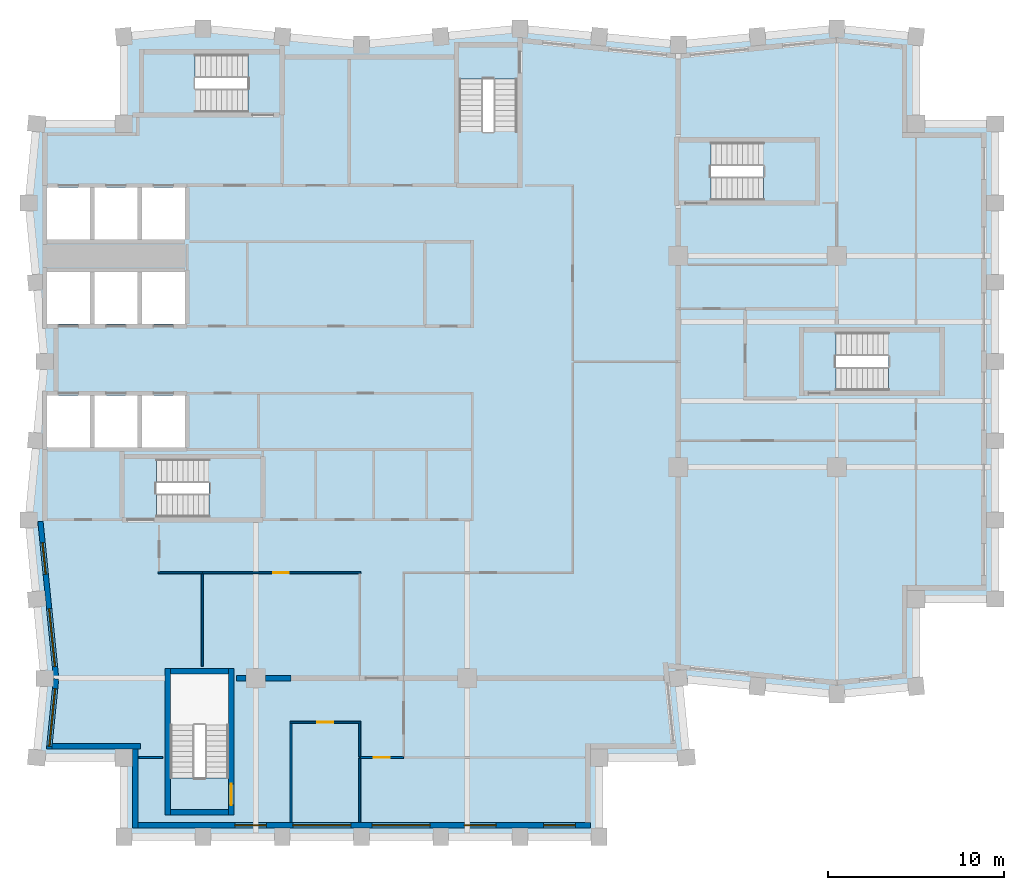
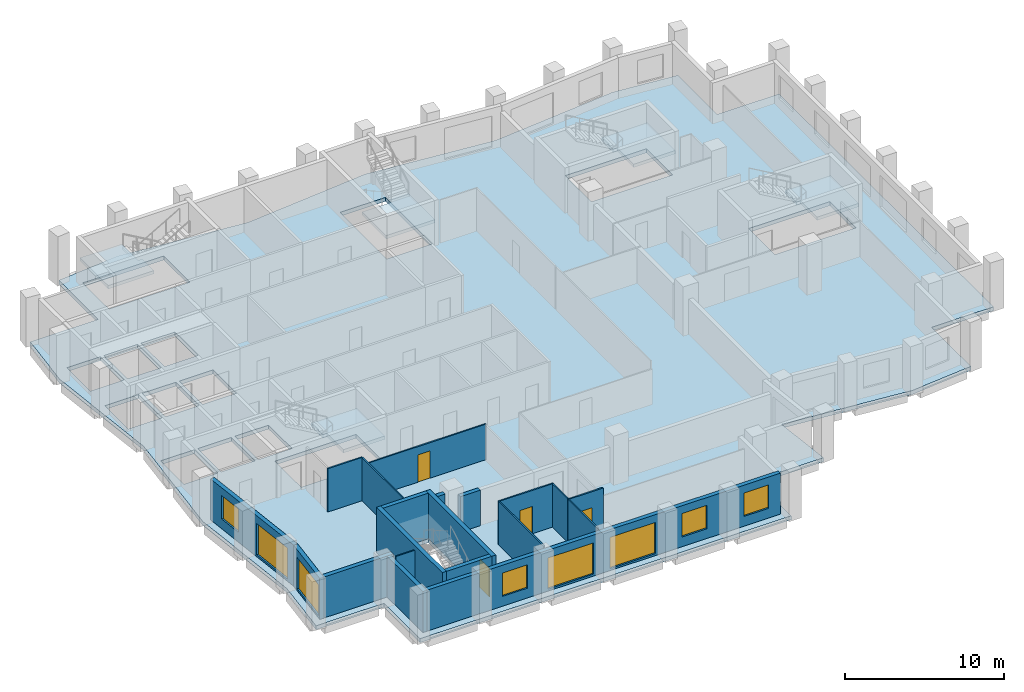
# One storey, part 2 of 8: 20 walls, 8 windows, 6 slabs, 4 doors, 12 openings, 5 elements without a shape of their own.
"""IFC4 building model written with IfcOpenShell, lengths in metres."""

from ifc_helpers import new_model, si_unit, direction, frame, frame_2d, origin, place, context, subcontext, project, spatial, polyline, rectangle, outline, extrude, material, layer, layer_set, type_object, element, fill, aggregate, save


model = new_model("IFC4")

# Units and contexts
model_context = context("Model", 3, precision=1e-05, world=origin(), true_north=direction((0.0, 1.0)))
body_context = subcontext(model_context, "Body", "Model", "MODEL_VIEW")
ifc_project = project(units=[si_unit("LENGTHUNIT", "METRE"), si_unit("AREAUNIT", "SQUARE_METRE"), si_unit("VOLUMEUNIT", "CUBIC_METRE"), si_unit("PLANEANGLEUNIT", "RADIAN"), si_unit("MASSUNIT", "GRAM", prefix="KILO")], contexts=[model_context])

# Site, building, storey
site_placement = place(None, origin())
site = spatial("IfcSite", under=ifc_project, at=site_placement, CompositionType="ELEMENT")
building_placement = place(site_placement, origin())
building = spatial("IfcBuilding", under=site, at=building_placement, Name="Brondeck Convention Tower", CompositionType="ELEMENT")
storey_placement = place(building_placement, frame((0.0, 0.0, 240.60009765625)))
storey = spatial("IfcBuildingStorey", under=building, at=storey_placement, Name="L59", CompositionType="ELEMENT", Elevation=240.60009765625)

# Slab
ifc_material_1 = material(Name="Concrete C35/45", Category="concrete")
ifc_layer_1 = layer(ifc_material_1, 0.300048828125)
ifc_layer_set_1 = layer_set([ifc_layer_1], Name="Composite floor slab 300")
slab_type_1 = type_object("IfcSlabType", Name="Composite floor slab 300", PredefinedType="FLOOR", material=ifc_layer_set_1)
slab_1_placement = place(storey_placement, frame((0.0, 0.0, -0.300048828125)))
element("IfcSlab", 1, at=slab_1_placement, inside=storey, type_object=slab_type_1, Name="STR-SL-L59", PredefinedType="FLOOR", context=body_context, shape_type="SweptSolid", body=[
    extrude(outline(polyline([(4.5, 22.5), (-0.449951171875, 22.5), (0.0, 27.0), (-0.89990234375, 36.0), (0.0, 45.0), (-0.89990234375, 54.0), (-0.449951171875, 58.5), (4.5, 58.5), (4.5, 63.449951171875), (9.0, 63.89990234375), (18.0, 63.0), (27.0, 63.89990234375), (36.0, 63.0), (45.0, 63.89990234375), (49.5, 63.449951171875), (49.5, 58.5), (54.0, 58.5), (54.0, 31.5), (49.5, 31.5), (49.5, 26.550048828125), (45.0, 26.10009765625), (36.0, 27.0), (36.449951171875, 22.5), (31.5, 22.5), (31.5, 18.0), (4.5, 18.0), (4.5, 22.5)]), holes=[polyline([(2.574951171875, 43.074951171875), (0.125, 43.074951171875), (0.125, 40.125), (2.574951171875, 40.125), (2.574951171875, 43.074951171875)]), polyline([(5.27490234375, 40.125), (5.27490234375, 43.074951171875), (2.824951171875, 43.074951171875), (2.824951171875, 40.125), (5.27490234375, 40.125)]), polyline([(7.97509765625, 40.125), (7.97509765625, 43.074951171875), (5.52490234375, 43.074951171875), (5.52490234375, 40.125), (7.97509765625, 40.125)]), polyline([(2.574951171875, 47.125), (2.574951171875, 50.074951171875), (0.125, 50.074951171875), (0.125, 47.125), (2.574951171875, 47.125)]), polyline([(5.27490234375, 47.125), (5.27490234375, 50.074951171875), (2.824951171875, 50.074951171875), (2.824951171875, 47.125), (5.27490234375, 47.125)]), polyline([(7.97509765625, 47.125), (7.97509765625, 50.074951171875), (5.52490234375, 50.074951171875), (5.52490234375, 47.125), (7.97509765625, 47.125)]), polyline([(2.574951171875, 51.925048828125), (2.574951171875, 54.875), (0.125, 54.875), (0.125, 51.925048828125), (2.574951171875, 51.925048828125)]), polyline([(5.27490234375, 51.925048828125), (5.27490234375, 54.875), (2.824951171875, 54.875), (2.824951171875, 51.925048828125), (5.27490234375, 51.925048828125)]), polyline([(10.447998046875, 27.248046875), (7.152099609375, 27.248046875), (7.152099609375, 21.35205078125), (10.447998046875, 21.35205078125), (10.447998046875, 27.248046875)]), polyline([(12.248046875, 36.152099609375), (12.248046875, 39.447998046875), (6.35205078125, 39.447998046875), (6.35205078125, 36.152099609375), (12.248046875, 36.152099609375)]), polyline([(50.847900390625, 43.35205078125), (50.847900390625, 46.64794921875), (44.951904296875, 46.64794921875), (44.951904296875, 43.35205078125), (50.847900390625, 43.35205078125)]), polyline([(7.97509765625, 51.925048828125), (7.97509765625, 54.875), (5.52490234375, 54.875), (5.52490234375, 51.925048828125), (7.97509765625, 51.925048828125)]), polyline([(43.748046875, 54.152099609375), (43.748046875, 57.447998046875), (37.85205078125, 57.447998046875), (37.85205078125, 54.152099609375), (43.748046875, 54.152099609375)]), polyline([(23.552001953125, 55.152099609375), (26.847900390625, 55.152099609375), (26.847900390625, 61.048095703125), (23.552001953125, 61.048095703125), (23.552001953125, 55.152099609375)]), polyline([(5.652099609375, 62.447998046875), (5.652099609375, 59.152099609375), (11.548095703125, 59.152099609375), (11.548095703125, 62.447998046875), (5.652099609375, 62.447998046875)])]), origin(), (0.0, 0.0, 1.0), 0.300048828125),
])

# Stair, slab
ifc_material_2 = material(Name="Precast concrete C50/60", Category="concrete")
stair_type = type_object("IfcStairType", Name="Core stair 22 risers 172.73 mm riser 300 mm going 1350 wide", PredefinedType="HALF_TURN_STAIR", material=ifc_material_2)
stair_1_placement = place(storey_placement, origin())
stair_1 = element("IfcStair", 2, at=stair_1_placement, inside=storey, type_object=stair_type, Name="ST-1 L59 stair", PredefinedType="HALF_TURN_STAIR")
ifc_layer_2 = layer(ifc_material_2, 0.25)
ifc_layer_set_2 = layer_set([ifc_layer_2], Name="Core stair landing 250 Precast concrete C50/60")
slab_type_2 = type_object("IfcSlabType", Name="Core stair landing 250 Precast concrete C50/60", PredefinedType="LANDING", material=ifc_layer_set_2)
slab_2_placement = place(storey_placement, frame((0.0, 0.0, 1.64990234375)))
slab_2 = element("IfcSlab", 3, at=slab_2_placement, type_object=slab_type_2, Name="ST-1 landing 1", PredefinedType="LANDING", context=body_context, shape_type="SweptSolid", body=[
    extrude(outline(polyline([(9.347900390625, 37.5), (9.35009765625, 37.5), (9.35009765625, 38.10009765625), (9.050048828125, 38.10009765625), (9.050048828125, 39.570068359375), (12.3701171875, 39.570068359375), (12.3701171875, 36.030029296875), (9.347900390625, 36.030029296875), (9.347900390625, 37.5)])), origin(), (0.0, 0.0, 1.0), 0.25),
])
aggregate(stair_1, [slab_2])

stair_2_placement = place(storey_placement, origin())
stair_2 = element("IfcStair", 4, at=stair_2_placement, inside=storey, type_object=stair_type, Name="ST-2 L59 stair", PredefinedType="HALF_TURN_STAIR")
slab_3_placement = place(storey_placement, frame((0.0, 0.0, 1.64990234375)))
slab_3 = element("IfcSlab", 5, at=slab_3_placement, type_object=slab_type_2, Name="ST-2 landing 1", PredefinedType="LANDING", context=body_context, shape_type="SweptSolid", body=[
    extrude(outline(polyline([(23.429931640625, 58.052001953125), (24.89990234375, 58.052001953125), (24.89990234375, 58.050048828125), (25.5, 58.050048828125), (25.5, 58.35009765625), (26.969970703125, 58.35009765625), (26.969970703125, 55.030029296875), (23.429931640625, 55.030029296875), (23.429931640625, 58.052001953125)])), origin(), (0.0, 0.0, 1.0), 0.25),
])
aggregate(stair_2, [slab_3])

stair_3_placement = place(storey_placement, origin())
stair_3 = element("IfcStair", 6, at=stair_3_placement, inside=storey, type_object=stair_type, Name="ST-3 L59 stair", PredefinedType="HALF_TURN_STAIR")
slab_4_placement = place(storey_placement, frame((0.0, 0.0, 1.64990234375)))
slab_4 = element("IfcSlab", 7, at=slab_4_placement, type_object=slab_type_2, Name="ST-3 landing 1", PredefinedType="LANDING", context=body_context, shape_type="SweptSolid", body=[
    extrude(outline(polyline([(8.85009765625, 60.5), (8.85009765625, 59.030029296875), (5.530029296875, 59.030029296875), (5.530029296875, 62.570068359375), (8.552001953125, 62.570068359375), (8.552001953125, 61.10009765625), (8.550048828125, 61.10009765625), (8.550048828125, 60.5), (8.85009765625, 60.5)])), origin(), (0.0, 0.0, 1.0), 0.25),
])
aggregate(stair_3, [slab_4])

stair_4_placement = place(storey_placement, origin())
stair_4 = element("IfcStair", 8, at=stair_4_placement, inside=storey, type_object=stair_type, Name="ST-AE L59 stair", PredefinedType="HALF_TURN_STAIR")
slab_5_placement = place(storey_placement, frame((0.0, 0.0, 1.64990234375)))
slab_5 = element("IfcSlab", 9, at=slab_5_placement, type_object=slab_type_2, Name="ST-AE landing 1", PredefinedType="LANDING", context=body_context, shape_type="SweptSolid", body=[
    extrude(outline(polyline([(40.847900390625, 55.5), (40.85009765625, 55.5), (40.85009765625, 56.10009765625), (40.550048828125, 56.10009765625), (40.550048828125, 57.570068359375), (43.8701171875, 57.570068359375), (43.8701171875, 54.030029296875), (40.847900390625, 54.030029296875), (40.847900390625, 55.5)])), origin(), (0.0, 0.0, 1.0), 0.25),
])
aggregate(stair_4, [slab_5])

stair_5_placement = place(storey_placement, origin())
stair_5 = element("IfcStair", 10, at=stair_5_placement, inside=storey, type_object=stair_type, Name="ST-AF L59 stair", PredefinedType="HALF_TURN_STAIR")
slab_6_placement = place(storey_placement, frame((0.0, 0.0, 1.64990234375)))
slab_6 = element("IfcSlab", 11, at=slab_6_placement, type_object=slab_type_2, Name="ST-AF landing 1", PredefinedType="LANDING", context=body_context, shape_type="SweptSolid", body=[
    extrude(outline(polyline([(47.947998046875, 44.699951171875), (47.949951171875, 44.699951171875), (47.949951171875, 45.300048828125), (47.64990234375, 45.300048828125), (47.64990234375, 46.77001953125), (50.969970703125, 46.77001953125), (50.969970703125, 43.22998046875), (47.947998046875, 43.22998046875), (47.947998046875, 44.699951171875)])), origin(), (0.0, 0.0, 1.0), 0.25),
])
aggregate(stair_5, [slab_6])

# Walls
ifc_material_3 = material(Name="Concrete compartment wall C30/37", Category="concrete")
ifc_layer_3 = layer(ifc_material_3, 0.300048828125)
ifc_layer_set_3 = layer_set([ifc_layer_3], Name="Compartment wall 300")
wall_type_1 = type_object("IfcWallType", Name="Compartment wall 300", PredefinedType="PARTITIONING", material=ifc_layer_set_3)
wall_1_placement = place(storey_placement, frame((10.89990234375, 27.0, 0.0), z_axis=(0.0, 0.0, 1.0), x_axis=(1.0, 0.0, 0.0)))
element("IfcWall", 12, at=wall_1_placement, inside=storey, type_object=wall_type_1, Name="FLR-L59-W013", PredefinedType="PARTITIONING", context=body_context, shape_type="SweptSolid", body=[
    extrude(rectangle(XDim=0.545166015625, YDim=0.300048828125, at=frame_2d((0.2724609375, 0.0))), origin(), (0.0, 0.0, 1.0), 3.329833984375),
])
wall_2_placement = place(storey_placement, frame((12.554931640625, 27.0, 0.0), z_axis=(0.0, 0.0, 1.0), x_axis=(1.0, 0.0, 0.0)))
element("IfcWall", 13, at=wall_2_placement, inside=storey, type_object=wall_type_1, Name="FLR-L59-W014", PredefinedType="PARTITIONING", context=body_context, shape_type="SweptSolid", body=[
    extrude(rectangle(XDim=1.445068359375, YDim=0.300048828125, at=frame_2d((0.72265625, 0.0))), origin(), (0.0, 0.0, 1.0), 2.72998046875),
])

# Wall, openings, windows
ifc_material_4 = material(Name="Precast concrete C50/60 bronze finish", Category="concrete")
ifc_layer_4 = layer(ifc_material_4, 0.070068359375, Name="Bronze precast facing")
ifc_material_5 = material(Name="Mineral wool")
ifc_layer_5 = layer(ifc_material_5, 0.159912109375, Name="Insulation")
ifc_layer_6 = layer(ifc_material_1, 0.070068359375, Name="Backing")
ifc_layer_set_4 = layer_set([ifc_layer_4, ifc_layer_5, ifc_layer_6], Name="External infill wall, precast concrete C50/60 bronze facing")
wall_type_2 = type_object("IfcWallType", Name="External infill wall, precast concrete C50/60 bronze facing", PredefinedType="SOLIDWALL", material=ifc_layer_set_4)
wall_3_placement = place(storey_placement, frame((31.0, 18.64990234375, 0.0), z_axis=(0.0, 0.0, 1.0), x_axis=(-1.0, 0.0, 0.0)))
wall_3 = element("IfcWall", 14, at=wall_3_placement, inside=storey, type_object=wall_type_2, Name="ENV-EW-L59-P2-B-S18-01", PredefinedType="SOLIDWALL", context=body_context, shape_type="SweptSolid", body=[
    extrude(rectangle(XDim=25.699951171875, YDim=0.300048828125, at=frame_2d((12.85009765625, 0.0))), origin(), (0.0, 0.0, 1.0), 3.14990234375),
])
opening_1_placement = place(wall_3_placement, frame((0.85009765625, 0.0, 0.75)))
opening_1 = element("IfcOpeningElement", 15, at=opening_1_placement, cuts=wall_3, Name="Opening W10", PredefinedType="OPENING", context=body_context, shape_type="SweptSolid", body=[
    extrude(rectangle(XDim=1.800048828125, YDim=1.800048828125, at=frame_2d((0.89990234375, 0.89990234375))), frame((0.0, 0.159912109375, 0.0), z_axis=(0.0, -1.0, 0.0), x_axis=(1.0, 0.0, 0.0)), (0.0, 0.0, 1.0), 0.320068359375),
])
opening_2_placement = place(wall_3_placement, frame((5.35009765625, 0.0, 0.75)))
opening_2 = element("IfcOpeningElement", 16, at=opening_2_placement, cuts=wall_3, Name="Opening W10", PredefinedType="OPENING", context=body_context, shape_type="SweptSolid", body=[
    extrude(rectangle(XDim=1.800048828125, YDim=1.800048828125, at=frame_2d((0.89990234375, 0.89990234375))), frame((0.0, 0.159912109375, 0.0), z_axis=(0.0, -1.0, 0.0), x_axis=(1.0, 0.0, 0.0)), (0.0, 0.0, 1.0), 0.320068359375),
])
opening_3_placement = place(wall_3_placement, frame((9.10009765625, 0.0, 0.14990234375)))
opening_3 = element("IfcOpeningElement", 17, at=opening_3_placement, cuts=wall_3, Name="Opening W9", PredefinedType="OPENING", context=body_context, shape_type="SweptSolid", body=[
    extrude(rectangle(XDim=3.300048828125, YDim=2.39990234375, at=frame_2d((1.64990234375, 1.199951171875))), frame((0.0, 0.159912109375, 0.0), z_axis=(0.0, -1.0, 0.0), x_axis=(1.0, 0.0, 0.0)), (0.0, 0.0, 1.0), 0.320068359375),
])
opening_4_placement = place(wall_3_placement, frame((13.60009765625, 0.0, 0.14990234375)))
opening_4 = element("IfcOpeningElement", 18, at=opening_4_placement, cuts=wall_3, Name="Opening W9", PredefinedType="OPENING", context=body_context, shape_type="SweptSolid", body=[
    extrude(rectangle(XDim=3.300048828125, YDim=2.39990234375, at=frame_2d((1.64990234375, 1.199951171875))), frame((0.0, 0.159912109375, 0.0), z_axis=(0.0, -1.0, 0.0), x_axis=(1.0, 0.0, 0.0)), (0.0, 0.0, 1.0), 0.320068359375),
])
opening_5_placement = place(wall_3_placement, frame((18.39990234375, 0.0, 0.75)))
opening_5 = element("IfcOpeningElement", 19, at=opening_5_placement, cuts=wall_3, Name="Opening W10", PredefinedType="OPENING", context=body_context, shape_type="SweptSolid", body=[
    extrude(rectangle(XDim=1.800048828125, YDim=1.800048828125, at=frame_2d((0.89990234375, 0.89990234375))), frame((0.0, 0.159912109375, 0.0), z_axis=(0.0, -1.0, 0.0), x_axis=(1.0, 0.0, 0.0)), (0.0, 0.0, 1.0), 0.320068359375),
])
ifc_material_6 = material(Name="Bronze tinted double glazing", Category="glass")
window_type_1 = type_object("IfcWindowType", Name="Glazed flute window, bronze tinted", PartitioningType="SINGLE_PANEL", PredefinedType="WINDOW", material=ifc_material_6)
window_1_placement = place(opening_3_placement, origin())
window_1 = element("IfcWindow", 20, at=window_1_placement, inside=storey, type_object=window_type_1, Name="ENV-WN-L59-P2-B-S18-04", OverallHeight=2.39990234375, OverallWidth=3.300048828125, PartitioningType="SINGLE_PANEL", PredefinedType="WINDOW", context=body_context, shape_type="SweptSolid", body=[
    extrude(rectangle(XDim=3.300048828125, YDim=2.39990234375, at=frame_2d((1.64990234375, 1.199951171875))), frame((0.0, 0.030029296875, 0.0), z_axis=(0.0, -1.0, 0.0), x_axis=(1.0, 0.0, 0.0)), (0.0, 0.0, 1.0), 0.06005859375),
])
fill(opening_3, window_1)
window_2_placement = place(opening_4_placement, origin())
window_2 = element("IfcWindow", 21, at=window_2_placement, inside=storey, type_object=window_type_1, Name="ENV-WN-L59-P2-B-S18-03", OverallHeight=2.39990234375, OverallWidth=3.300048828125, PartitioningType="SINGLE_PANEL", PredefinedType="WINDOW", context=body_context, shape_type="SweptSolid", body=[
    extrude(rectangle(XDim=3.300048828125, YDim=2.39990234375, at=frame_2d((1.64990234375, 1.199951171875))), frame((0.0, 0.030029296875, 0.0), z_axis=(0.0, -1.0, 0.0), x_axis=(1.0, 0.0, 0.0)), (0.0, 0.0, 1.0), 0.06005859375),
])
fill(opening_4, window_2)
window_type_2 = type_object("IfcWindowType", Name="Punched window, bronze tinted", PartitioningType="SINGLE_PANEL", PredefinedType="WINDOW", material=ifc_material_6)
window_3_placement = place(opening_1_placement, origin())
window_3 = element("IfcWindow", 22, at=window_3_placement, inside=storey, type_object=window_type_2, Name="ENV-WN-L59-P2-B-S18-06", OverallHeight=1.800048828125, OverallWidth=1.800048828125, PartitioningType="SINGLE_PANEL", PredefinedType="WINDOW", context=body_context, shape_type="SweptSolid", body=[
    extrude(rectangle(XDim=1.800048828125, YDim=1.800048828125, at=frame_2d((0.89990234375, 0.89990234375))), frame((0.0, 0.030029296875, 0.0), z_axis=(0.0, -1.0, 0.0), x_axis=(1.0, 0.0, 0.0)), (0.0, 0.0, 1.0), 0.06005859375),
])
fill(opening_1, window_3)
window_4_placement = place(opening_2_placement, origin())
window_4 = element("IfcWindow", 23, at=window_4_placement, inside=storey, type_object=window_type_2, Name="ENV-WN-L59-P2-B-S18-05", OverallHeight=1.800048828125, OverallWidth=1.800048828125, PartitioningType="SINGLE_PANEL", PredefinedType="WINDOW", context=body_context, shape_type="SweptSolid", body=[
    extrude(rectangle(XDim=1.800048828125, YDim=1.800048828125, at=frame_2d((0.89990234375, 0.89990234375))), frame((0.0, 0.030029296875, 0.0), z_axis=(0.0, -1.0, 0.0), x_axis=(1.0, 0.0, 0.0)), (0.0, 0.0, 1.0), 0.06005859375),
])
fill(opening_2, window_4)
window_5_placement = place(opening_5_placement, origin())
window_5 = element("IfcWindow", 24, at=window_5_placement, inside=storey, type_object=window_type_2, Name="ENV-WN-L59-P2-B-S18-02", OverallHeight=1.800048828125, OverallWidth=1.800048828125, PartitioningType="SINGLE_PANEL", PredefinedType="WINDOW", context=body_context, shape_type="SweptSolid", body=[
    extrude(rectangle(XDim=1.800048828125, YDim=1.800048828125, at=frame_2d((0.89990234375, 0.89990234375))), frame((0.0, 0.030029296875, 0.0), z_axis=(0.0, -1.0, 0.0), x_axis=(1.0, 0.0, 0.0)), (0.0, 0.0, 1.0), 0.06005859375),
])
fill(opening_5, window_5)

wall_4_placement = place(storey_placement, frame((0.65478515625, 26.985107421875, 0.0), z_axis=(0.0, 0.0, 1.0), x_axis=(-0.099509105781, 0.995036651519, 0.0)))
wall_4 = element("IfcWall", 25, at=wall_4_placement, inside=storey, type_object=wall_type_2, Name="ENV-EW-L59-P2-B-W-06", PredefinedType="SOLIDWALL", context=body_context, shape_type="SweptSolid", body=[
    extrude(rectangle(XDim=8.974609375, YDim=0.300048828125, at=frame_2d((4.4873046875, 0.0))), origin(), (0.0, 0.0, 1.0), 3.14990234375),
])
opening_6_placement = place(wall_4_placement, frame((0.691162109375, 0.0, 0.14990234375)))
opening_6 = element("IfcOpeningElement", 26, at=opening_6_placement, cuts=wall_4, Name="Opening W9", PredefinedType="OPENING", context=body_context, shape_type="SweptSolid", body=[
    extrude(rectangle(XDim=3.300048828125, YDim=2.39990234375, at=frame_2d((1.64990234375, 1.199951171875))), frame((0.0, 0.159912109375, 0.0), z_axis=(0.0, -1.0, 0.0), x_axis=(1.0, 0.0, 0.0)), (0.0, 0.0, 1.0), 0.320068359375),
])
opening_7_placement = place(wall_4_placement, frame((5.963623046875, 0.0, 0.75)))
opening_7 = element("IfcOpeningElement", 27, at=opening_7_placement, cuts=wall_4, Name="Opening W10", PredefinedType="OPENING", context=body_context, shape_type="SweptSolid", body=[
    extrude(rectangle(XDim=1.800048828125, YDim=1.800048828125, at=frame_2d((0.89990234375, 0.89990234375))), frame((0.0, 0.159912109375, 0.0), z_axis=(0.0, -1.0, 0.0), x_axis=(1.0, 0.0, 0.0)), (0.0, 0.0, 1.0), 0.320068359375),
])
window_6_placement = place(opening_6_placement, origin())
window_6 = element("IfcWindow", 28, at=window_6_placement, inside=storey, type_object=window_type_1, Name="ENV-WN-L59-P2-B-W-07", OverallHeight=2.39990234375, OverallWidth=3.300048828125, PartitioningType="SINGLE_PANEL", PredefinedType="WINDOW", context=body_context, shape_type="SweptSolid", body=[
    extrude(rectangle(XDim=3.300048828125, YDim=2.39990234375, at=frame_2d((1.64990234375, 1.199951171875))), frame((0.0, 0.030029296875, 0.0), z_axis=(0.0, -1.0, 0.0), x_axis=(1.0, 0.0, 0.0)), (0.0, 0.0, 1.0), 0.06005859375),
])
fill(opening_6, window_6)
window_7_placement = place(opening_7_placement, origin())
window_7 = element("IfcWindow", 29, at=window_7_placement, inside=storey, type_object=window_type_2, Name="ENV-WN-L59-P2-B-W-06", OverallHeight=1.800048828125, OverallWidth=1.800048828125, PartitioningType="SINGLE_PANEL", PredefinedType="WINDOW", context=body_context, shape_type="SweptSolid", body=[
    extrude(rectangle(XDim=1.800048828125, YDim=1.800048828125, at=frame_2d((0.89990234375, 0.89990234375))), frame((0.0, 0.030029296875, 0.0), z_axis=(0.0, -1.0, 0.0), x_axis=(1.0, 0.0, 0.0)), (0.0, 0.0, 1.0), 0.06005859375),
])
fill(opening_7, window_7)

# Wall, opening, window
wall_5_placement = place(storey_placement, frame((0.251708984375, 22.985107421875, 0.0), z_axis=(0.0, 0.0, 1.0), x_axis=(0.09954596771, 0.995032964435, 0.0)))
wall_5 = element("IfcWall", 30, at=wall_5_placement, inside=storey, type_object=wall_type_2, Name="ENV-EW-L59-P2-B-W-08", PredefinedType="SOLIDWALL", context=body_context, shape_type="SweptSolid", body=[
    extrude(rectangle(XDim=4.0048828125, YDim=0.300048828125, at=frame_2d((2.00244140625, 0.0))), origin(), (0.0, 0.0, 1.0), 3.14990234375),
])
opening_8_placement = place(wall_5_placement, frame((0.14990234375, 0.0, 0.14990234375)))
opening_8 = element("IfcOpeningElement", 31, at=opening_8_placement, cuts=wall_5, Name="Opening W9", PredefinedType="OPENING", context=body_context, shape_type="SweptSolid", body=[
    extrude(rectangle(XDim=3.300048828125, YDim=2.39990234375, at=frame_2d((1.64990234375, 1.199951171875))), frame((0.0, 0.159912109375, 0.0), z_axis=(0.0, -1.0, 0.0), x_axis=(1.0, 0.0, 0.0)), (0.0, 0.0, 1.0), 0.320068359375),
])
window_8_placement = place(opening_8_placement, origin())
window_8 = element("IfcWindow", 32, at=window_8_placement, inside=storey, type_object=window_type_1, Name="ENV-WN-L59-P2-B-W-08", OverallHeight=2.39990234375, OverallWidth=3.300048828125, PartitioningType="SINGLE_PANEL", PredefinedType="WINDOW", context=body_context, shape_type="SweptSolid", body=[
    extrude(rectangle(XDim=3.300048828125, YDim=2.39990234375, at=frame_2d((1.64990234375, 1.199951171875))), frame((0.0, 0.030029296875, 0.0), z_axis=(0.0, -1.0, 0.0), x_axis=(1.0, 0.0, 0.0)), (0.0, 0.0, 1.0), 0.06005859375),
])
fill(opening_8, window_8)

# Walls
wall_6_placement = place(storey_placement, frame((5.449951171875, 23.14990234375, 0.0), z_axis=(0.0, 0.0, 1.0), x_axis=(-1.0, 0.0, 0.0)))
element("IfcWall", 33, at=wall_6_placement, inside=storey, type_object=wall_type_2, Name="ENV-EW-L59-P2-NC-SWB18-01", PredefinedType="SOLIDWALL", context=body_context, shape_type="SweptSolid", body=[
    extrude(rectangle(XDim=5.025634765625, YDim=0.300048828125, at=frame_2d((2.5126953125, 0.0))), origin(), (0.0, 0.0, 1.0), 3.14990234375),
])
wall_7_placement = place(storey_placement, frame((5.14990234375, 18.5, 0.0), z_axis=(0.0, 0.0, 1.0), x_axis=(0.0, 1.0, 0.0)))
element("IfcWall", 34, at=wall_7_placement, inside=storey, type_object=wall_type_2, Name="ENV-EW-L59-P2-NC-SWB18-02", PredefinedType="SOLIDWALL", context=body_context, shape_type="SweptSolid", body=[
    extrude(rectangle(XDim=4.5, YDim=0.300048828125, at=frame_2d((2.25, 0.0))), origin(), (0.0, 0.0, 1.0), 3.14990234375),
])
ifc_material_7 = material(Name="Gypsum board partition on steel studs", Category="steel")
ifc_layer_7 = layer(ifc_material_7, 0.10009765625)
ifc_layer_set_5 = layer_set([ifc_layer_7], Name="Room partition 100")
wall_type_3 = type_object("IfcWallType", Name="Room partition 100", PredefinedType="PARTITIONING", material=ifc_layer_set_5)
wall_8_placement = place(storey_placement, frame((17.89990234375, 22.449951171875, 0.0), z_axis=(0.0, 0.0, 1.0), x_axis=(0.0, -1.0, 0.0)))
element("IfcWall", 35, at=wall_8_placement, inside=storey, type_object=wall_type_3, Name="FLR-L59-W001", PredefinedType="PARTITIONING", context=body_context, shape_type="SweptSolid", body=[
    extrude(rectangle(XDim=3.6298828125, YDim=0.10009765625, at=frame_2d((1.81494140625, 0.0))), origin(), (0.0, 0.0, 1.0), 3.329833984375),
])
wall_9_placement = place(storey_placement, frame((5.35009765625, 22.5, 0.0), z_axis=(0.0, 0.0, 1.0), x_axis=(1.0, 0.0, 0.0)))
element("IfcWall", 36, at=wall_9_placement, inside=storey, type_object=wall_type_3, Name="FLR-L59-W002", PredefinedType="PARTITIONING", context=body_context, shape_type="SweptSolid", body=[
    extrude(rectangle(XDim=1.349853515625, YDim=0.10009765625, at=frame_2d((0.6748046875, 0.0))), origin(), (0.0, 0.0, 1.0), 3.329833984375),
])

# Wall, opening, door
wall_10_placement = place(storey_placement, frame((20.39990234375, 22.5, 0.0), z_axis=(0.0, 0.0, 1.0), x_axis=(-1.0, 0.0, 0.0)))
wall_10 = element("IfcWall", 37, at=wall_10_placement, inside=storey, type_object=wall_type_3, Name="FLR-L59-W003", PredefinedType="PARTITIONING", context=body_context, shape_type="SweptSolid", body=[
    extrude(rectangle(XDim=2.449951171875, YDim=0.10009765625, at=frame_2d((1.22509765625, 0.0))), origin(), (0.0, 0.0, 1.0), 3.329833984375),
])
opening_9_placement = place(wall_10_placement, frame((0.800048828125, 0.0, 0.0)))
opening_9 = element("IfcOpeningElement", 38, at=opening_9_placement, cuts=wall_10, Name="Opening OF-O-006", PredefinedType="OPENING", context=body_context, shape_type="SweptSolid", body=[
    extrude(rectangle(XDim=0.89990234375, YDim=2.10009765625, at=frame_2d((0.449951171875, 1.050048828125))), frame((0.0, 0.06005859375, 0.0), z_axis=(0.0, -1.0, 0.0), x_axis=(1.0, 0.0, 0.0)), (0.0, 0.0, 1.0), 0.1201171875),
])
ifc_material_8 = material(Name="Solid timber door leaf", Category="wood")
door_type_1 = type_object("IfcDoorType", Name="Single door 900", OperationType="NOTDEFINED", PredefinedType="DOOR", material=ifc_material_8)
door_1_placement = place(opening_9_placement, origin())
door_1 = element("IfcDoor", 39, at=door_1_placement, inside=storey, type_object=door_type_1, Name="Door OF-O-006", OperationType="SINGLE_SWING_LEFT", OverallHeight=2.10009765625, OverallWidth=0.89990234375, PredefinedType="DOOR", context=body_context, shape_type="SweptSolid", body=[
    extrude(rectangle(XDim=0.89990234375, YDim=2.10009765625, at=frame_2d((0.449951171875, 1.050048828125))), frame((0.0, 0.02490234375, 0.0), z_axis=(0.0, -1.0, 0.0), x_axis=(1.0, 0.0, 0.0)), (0.0, 0.0, 1.0), 0.050048828125),
])
fill(opening_9, door_1)

# Walls
wall_11_placement = place(storey_placement, frame((17.89990234375, 22.550048828125, 0.0), z_axis=(0.0, 0.0, 1.0), x_axis=(0.0, 1.0, 0.0)))
element("IfcWall", 40, at=wall_11_placement, inside=storey, type_object=wall_type_3, Name="FLR-L59-W006", PredefinedType="PARTITIONING", context=body_context, shape_type="SweptSolid", body=[
    extrude(rectangle(XDim=1.89990234375, YDim=0.10009765625, at=frame_2d((0.949951171875, 0.0))), origin(), (0.0, 0.0, 1.0), 3.329833984375),
])
wall_12_placement = place(storey_placement, frame((14.0, 24.449951171875, 0.0), z_axis=(0.0, 0.0, 1.0), x_axis=(0.0, -1.0, 0.0)))
element("IfcWall", 41, at=wall_12_placement, inside=storey, type_object=wall_type_3, Name="FLR-L59-W009", PredefinedType="PARTITIONING", context=body_context, shape_type="SweptSolid", body=[
    extrude(rectangle(XDim=5.6298828125, YDim=0.10009765625, at=frame_2d((2.81494140625, 0.0))), origin(), (0.0, 0.0, 1.0), 3.329833984375),
])

# Wall, opening, door
wall_13_placement = place(storey_placement, frame((17.949951171875, 24.5, 0.0), z_axis=(0.0, 0.0, 1.0), x_axis=(-1.0, 0.0, 0.0)))
wall_13 = element("IfcWall", 42, at=wall_13_placement, inside=storey, type_object=wall_type_3, Name="FLR-L59-W010", PredefinedType="PARTITIONING", context=body_context, shape_type="SweptSolid", body=[
    extrude(rectangle(XDim=4.0, YDim=0.10009765625, at=frame_2d((2.0, 0.0))), origin(), (0.0, 0.0, 1.0), 3.329833984375),
])
opening_10_placement = place(wall_13_placement, frame((1.550048828125, 0.0, 0.0)))
opening_10 = element("IfcOpeningElement", 43, at=opening_10_placement, cuts=wall_13, Name="Opening OF-O-002", PredefinedType="OPENING", context=body_context, shape_type="SweptSolid", body=[
    extrude(rectangle(XDim=0.89990234375, YDim=2.10009765625, at=frame_2d((0.449951171875, 1.050048828125))), frame((0.0, 0.06005859375, 0.0), z_axis=(0.0, -1.0, 0.0), x_axis=(1.0, 0.0, 0.0)), (0.0, 0.0, 1.0), 0.1201171875),
])
door_2_placement = place(opening_10_placement, origin())
door_2 = element("IfcDoor", 44, at=door_2_placement, inside=storey, type_object=door_type_1, Name="Door OF-O-002", OperationType="SINGLE_SWING_RIGHT", OverallHeight=2.10009765625, OverallWidth=0.89990234375, PredefinedType="DOOR", context=body_context, shape_type="SweptSolid", body=[
    extrude(rectangle(XDim=0.89990234375, YDim=2.10009765625, at=frame_2d((0.449951171875, 1.050048828125))), frame((0.0, 0.02490234375, 0.0), z_axis=(0.0, -1.0, 0.0), x_axis=(1.0, 0.0, 0.0)), (0.0, 0.0, 1.0), 0.050048828125),
])
fill(opening_10, door_2)

# Walls
wall_14_placement = place(storey_placement, frame((8.9599609375, 32.949951171875, 0.0), z_axis=(0.0, 0.0, 1.0), x_axis=(0.0, -1.0, 0.0)))
element("IfcWall", 45, at=wall_14_placement, inside=storey, type_object=wall_type_3, Name="FLR-L59-W024", PredefinedType="PARTITIONING", context=body_context, shape_type="SweptSolid", body=[
    extrude(rectangle(XDim=5.25, YDim=0.10009765625, at=frame_2d((2.625, 0.0))), origin(), (0.0, 0.0, 1.0), 3.329833984375),
])
wall_15_placement = place(storey_placement, frame((8.9599609375, 33.0, 0.0), z_axis=(0.0, 0.0, 1.0), x_axis=(-1.0, 0.0, 0.0)))
element("IfcWall", 46, at=wall_15_placement, inside=storey, type_object=wall_type_3, Name="FLR-L59-W026", PredefinedType="PARTITIONING", context=body_context, shape_type="SweptSolid", body=[
    extrude(rectangle(XDim=2.510009765625, YDim=0.10009765625, at=frame_2d((1.2548828125, 0.0))), origin(), (0.0, 0.0, 1.0), 3.329833984375),
])

# Wall, opening, door
wall_16_placement = place(storey_placement, frame((17.949951171875, 33.0, 0.0), z_axis=(0.0, 0.0, 1.0), x_axis=(-1.0, 0.0, 0.0)))
wall_16 = element("IfcWall", 47, at=wall_16_placement, inside=storey, type_object=wall_type_3, Name="FLR-L59-W027", PredefinedType="PARTITIONING", context=body_context, shape_type="SweptSolid", body=[
    extrude(rectangle(XDim=8.989990234375, YDim=0.10009765625, at=frame_2d((4.4951171875, 0.0))), origin(), (0.0, 0.0, 1.0), 2.72998046875),
])
opening_11_placement = place(wall_16_placement, frame((4.070068359375, 0.0, 0.0)))
opening_11 = element("IfcOpeningElement", 48, at=opening_11_placement, cuts=wall_16, Name="Opening OF-O-009", PredefinedType="OPENING", context=body_context, shape_type="SweptSolid", body=[
    extrude(rectangle(XDim=0.89990234375, YDim=2.10009765625, at=frame_2d((0.449951171875, 1.050048828125))), frame((0.0, 0.06005859375, 0.0), z_axis=(0.0, -1.0, 0.0), x_axis=(1.0, 0.0, 0.0)), (0.0, 0.0, 1.0), 0.1201171875),
])
door_3_placement = place(opening_11_placement, origin())
door_3 = element("IfcDoor", 49, at=door_3_placement, inside=storey, type_object=door_type_1, Name="Door OF-O-009", OperationType="SINGLE_SWING_RIGHT", OverallHeight=2.10009765625, OverallWidth=0.89990234375, PredefinedType="DOOR", context=body_context, shape_type="SweptSolid", body=[
    extrude(rectangle(XDim=0.89990234375, YDim=2.10009765625, at=frame_2d((0.449951171875, 1.050048828125))), frame((0.0, 0.02490234375, 0.0), z_axis=(0.0, -1.0, 0.0), x_axis=(1.0, 0.0, 0.0)), (0.0, 0.0, 1.0), 0.050048828125),
])
fill(opening_11, door_3)

# Walls
ifc_material_9 = material(Name="Concrete C50/60", Category="concrete")
ifc_layer_8 = layer(ifc_material_9, 0.300048828125)
ifc_layer_set_6 = layer_set([ifc_layer_8], Name="Stair enclosure wall 300 Concrete C50/60")
wall_type_4 = type_object("IfcWallType", Name="Stair enclosure wall 300 Concrete C50/60", PredefinedType="SHEAR", material=ifc_layer_set_6)
for number, where, z_axis, x_axis, name in (
    (50, (7.14990234375, 19.39990234375, 0.0), (0.0, 0.0, 1.0), (1.0, 0.0, 0.0), "L59 core wall"),
    (51, (7.14990234375, 27.39990234375, 0.0), (0.0, 0.0, 1.0), (1.0, 0.0, 0.0), "L59 core wall"),
):
    element("IfcWall", number, at=place(storey_placement, frame(where, z_axis=z_axis, x_axis=x_axis)), inside=storey, type_object=wall_type_4, Name=name, PredefinedType="SHEAR", context=body_context, shape_type="SweptSolid", body=[
        extrude(rectangle(XDim=3.300048828125, YDim=0.300048828125, at=frame_2d((1.64990234375, 0.0))), origin(), (0.0, 0.0, 1.0), 3.5),
    ])
wall_17_placement = place(storey_placement, frame((7.0, 19.25, 0.0), z_axis=(0.0, 0.0, 1.0), x_axis=(0.0, 1.0, 0.0)))
element("IfcWall", 52, at=wall_17_placement, inside=storey, type_object=wall_type_4, Name="L59 core wall", PredefinedType="SHEAR", context=body_context, shape_type="SweptSolid", body=[
    extrude(rectangle(XDim=8.300048828125, YDim=0.300048828125, at=frame_2d((4.14990234375, 0.0))), origin(), (0.0, 0.0, 1.0), 3.5),
])

# Wall, opening, door
wall_18_placement = place(storey_placement, frame((10.60009765625, 19.25, 0.0), z_axis=(0.0, 0.0, 1.0), x_axis=(0.0, 1.0, 0.0)))
wall_18 = element("IfcWall", 53, at=wall_18_placement, inside=storey, type_object=wall_type_4, Name="L59 core wall", PredefinedType="SHEAR", context=body_context, shape_type="SweptSolid", body=[
    extrude(rectangle(XDim=8.300048828125, YDim=0.300048828125, at=frame_2d((4.14990234375, 0.0))), origin(), (0.0, 0.0, 1.0), 3.5),
])
opening_12_placement = place(wall_18_placement, frame((0.550048828125, 0.0, 0.0)))
opening_12 = element("IfcOpeningElement", 54, at=opening_12_placement, cuts=wall_18, Name="Opening C32-19", PredefinedType="OPENING", context=body_context, shape_type="SweptSolid", body=[
    extrude(rectangle(XDim=1.199951171875, YDim=2.199951171875, at=frame_2d((0.60009765625, 1.10009765625))), frame((0.0, 0.159912109375, 0.0), z_axis=(0.0, -1.0, 0.0), x_axis=(1.0, 0.0, 0.0)), (0.0, 0.0, 1.0), 0.320068359375),
])
ifc_material_10 = material(Name="Steel fire door", Category="steel")
door_type_2 = type_object("IfcDoorType", Name="Stair door 1200x2200 EI 90", OperationType="NOTDEFINED", PredefinedType="DOOR", material=ifc_material_10)
door_4_placement = place(opening_12_placement, origin())
door_4 = element("IfcDoor", 55, at=door_4_placement, inside=storey, type_object=door_type_2, Name="L59 Stair door ST-BE", OperationType="SINGLE_SWING_RIGHT", OverallHeight=2.199951171875, OverallWidth=1.199951171875, PredefinedType="DOOR", context=body_context, shape_type="SweptSolid", body=[
    extrude(rectangle(XDim=1.199951171875, YDim=2.199951171875, at=frame_2d((0.60009765625, 1.10009765625))), frame((0.0, 0.02490234375, 0.0), z_axis=(0.0, -1.0, 0.0), x_axis=(1.0, 0.0, 0.0)), (0.0, 0.0, 1.0), 0.050048828125),
])
fill(opening_12, door_4)

save(model, "model.ifc")
